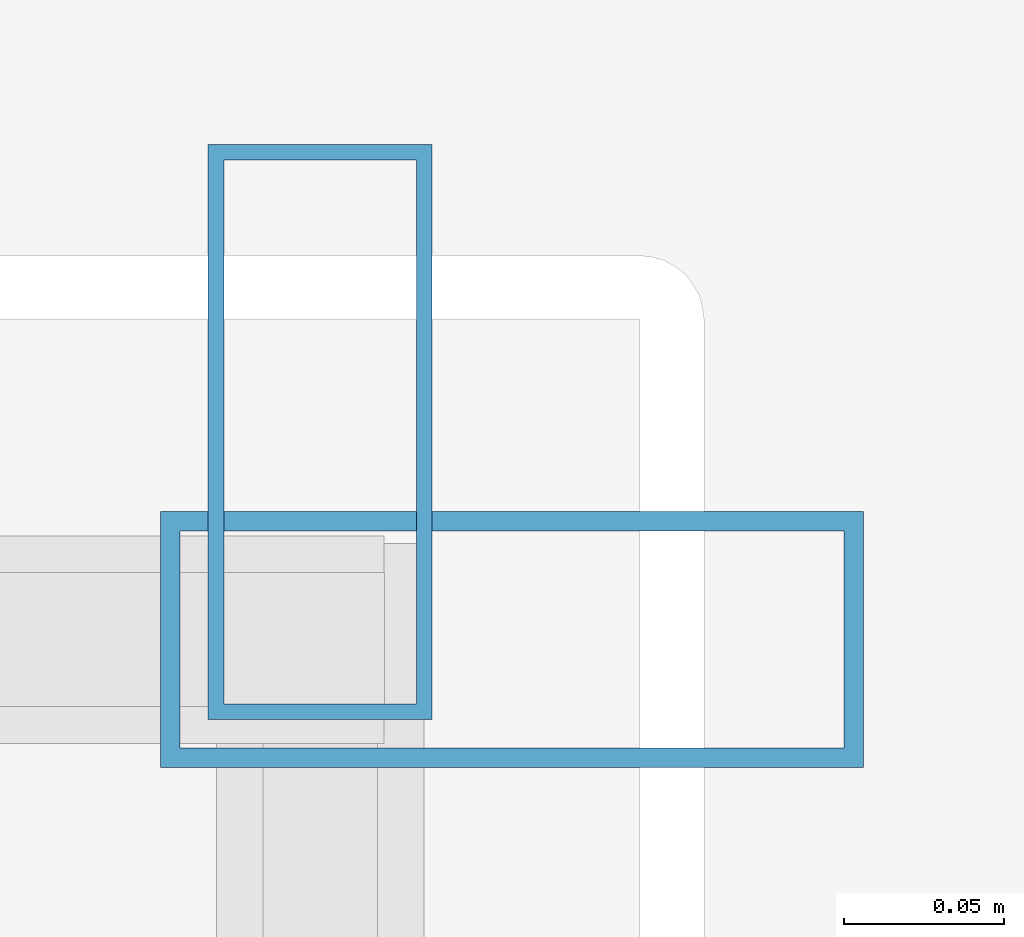
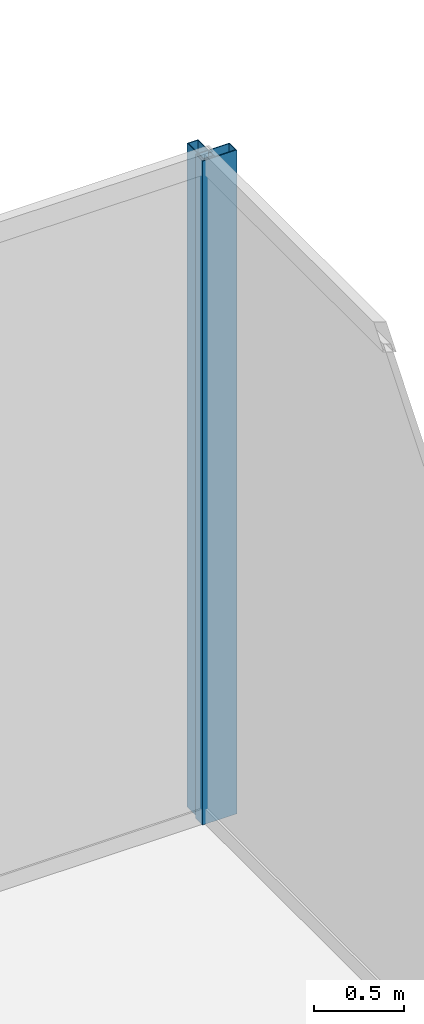
# One storey, part 26 of 37: 2 members, 2 elements without a shape of their own.
"""IFC4 building model written with IfcOpenShell, lengths in metres."""

from ifc_helpers import new_model, si_unit, direction, frame, origin, origin_2d, place, context, subcontext, project, spatial, hollow_rectangle, extrude, source, transform, mapped, material, layer, layer_set, material_profile, profile_set, type_object, type_shapes, element, aggregate, save


model = new_model("IFC4")

# Units and contexts
model_context = context("Model", 3, precision=1e-05, world=origin(), true_north=direction((0.0, 1.0)))
body_context = subcontext(model_context, "Body", "Model", "MODEL_VIEW")
ifc_project = project(units=[si_unit("LENGTHUNIT", "METRE"), si_unit("AREAUNIT", "SQUARE_METRE"), si_unit("VOLUMEUNIT", "CUBIC_METRE"), si_unit("PLANEANGLEUNIT", "RADIAN"), si_unit("MASSUNIT", "GRAM", prefix="KILO")], contexts=[model_context])

# Site, building, storey
site_placement = place(None, origin())
site = spatial("IfcSite", under=ifc_project, at=site_placement, CompositionType="ELEMENT")
building_placement = place(site_placement, origin())
building = spatial("IfcBuilding", under=site, at=building_placement, Name="Haelvirn Gate Laboratories", CompositionType="ELEMENT")
storey_placement = place(building_placement, frame((0.0, 0.0, 196.60009765625)))
storey = spatial("IfcBuildingStorey", under=building, at=storey_placement, Name="L47", CompositionType="ELEMENT", Elevation=196.60009765625)

# Curtain wall, member
ifc_material_1 = material(Name="Anodised bronze unitised aluminium & triple low-E glass", Category="aluminium")
ifc_layer_1 = layer(ifc_material_1, 0.176025390625, Name="CW-SYS-4")
ifc_layer_set_1 = layer_set([ifc_layer_1], Name="Anodised bronze unitised aluminium & triple low-E glass")
curtain_wall_type_1 = type_object("IfcCurtainWallType", Name="CW-SYS-4", PredefinedType="NOTDEFINED", material=ifc_layer_set_1)
curtain_wall_1_placement = place(storey_placement, origin())
curtain_wall_1 = element("IfcCurtainWall", 1, at=curtain_wall_1_placement, inside=storey, type_object=curtain_wall_type_1, Name="L47 Unitised Curtain Wall CW-L47-P0-E07", PredefinedType="NOTDEFINED")
ifc_material_2 = material(Name="Extruded aluminium 6063-T6 (anodised bronze)", Category="aluminium")
ifc_material_profile_1 = material_profile(ifc_material_2, hollow_rectangle(XDim=0.070068359375, YDim=0.179931640625, WallThickness=0.0048828125, at=origin_2d()), Name="CWM-180x70x5")
ifc_profile_set_1 = profile_set([ifc_material_profile_1], Name="Extruded aluminium 6063-T6 (anodised bronze)")
member_type_1 = type_object("IfcMemberType", Name="CWM-T180", PredefinedType="MULLION", material=ifc_profile_set_1)
shared_shape_1 = source(origin(), body_context, "Body", "SweptSolid", [
    extrude(hollow_rectangle(XDim=0.070068359375, YDim=0.179931640625, WallThickness=0.0048828125, at=origin_2d()), origin(), (0.0, 0.0, 1.0), 4.5),
])
type_shapes(member_type_1, [shared_shape_1])
member_1_placement = place(storey_placement, frame((70.699951171875, 42.764892578125, 0.0), z_axis=(0.0, 0.0, 1.0), x_axis=(-1.0, 0.0, 0.0)))
member_1 = element("IfcMember", 2, at=member_1_placement, type_object=member_type_1, Name="CW4 mullion 3", PredefinedType="MULLION", context=body_context, shape_type="MappedRepresentation", body=[
    mapped(shared_shape_1, transform((0.0, 0.0, 0.0), scale=1.0)),
])
aggregate(curtain_wall_1, [member_1])

ifc_layer_2 = layer(ifc_material_1, 0.181884765625, Name="CW-SYS-5")
ifc_layer_set_2 = layer_set([ifc_layer_2], Name="Anodised bronze unitised aluminium & triple low-E glass")
curtain_wall_type_2 = type_object("IfcCurtainWallType", Name="CW-SYS-5", PredefinedType="NOTDEFINED", material=ifc_layer_set_2)
curtain_wall_2_placement = place(storey_placement, origin())
curtain_wall_2 = element("IfcCurtainWall", 3, at=curtain_wall_2_placement, inside=storey, type_object=curtain_wall_type_2, Name="L47 Unitised Curtain Wall CW-L47-P0-E08-1", PredefinedType="NOTDEFINED")
ifc_material_profile_2 = material_profile(ifc_material_2, hollow_rectangle(XDim=0.080078125, YDim=0.219970703125, WallThickness=0.006103515625, at=origin_2d()), Name="CWM-220x80x6")
ifc_profile_set_2 = profile_set([ifc_material_profile_2], Name="Extruded aluminium 6063-T6 (anodised bronze)")
member_type_2 = type_object("IfcMemberType", Name="CWM-T220", PredefinedType="MULLION", material=ifc_profile_set_2)
shared_shape_2 = source(origin(), body_context, "Body", "SweptSolid", [
    extrude(hollow_rectangle(XDim=0.080078125, YDim=0.219970703125, WallThickness=0.006103515625, at=origin_2d()), origin(), (0.0, 0.0, 1.0), 4.5),
])
type_shapes(member_type_2, [shared_shape_2])
member_2_placement = place(storey_placement, frame((70.760009765625, 42.699951171875, 0.0), z_axis=(0.0, 0.0, 1.0), x_axis=(0.0, 1.0, 0.0)))
member_2 = element("IfcMember", 4, at=member_2_placement, type_object=member_type_2, Name="CW5 mullion 2", PredefinedType="MULLION", context=body_context, shape_type="MappedRepresentation", body=[
    mapped(shared_shape_2, transform((0.0, 0.0, 0.0), scale=1.0)),
])
aggregate(curtain_wall_2, [member_2])

save(model, "model.ifc")
